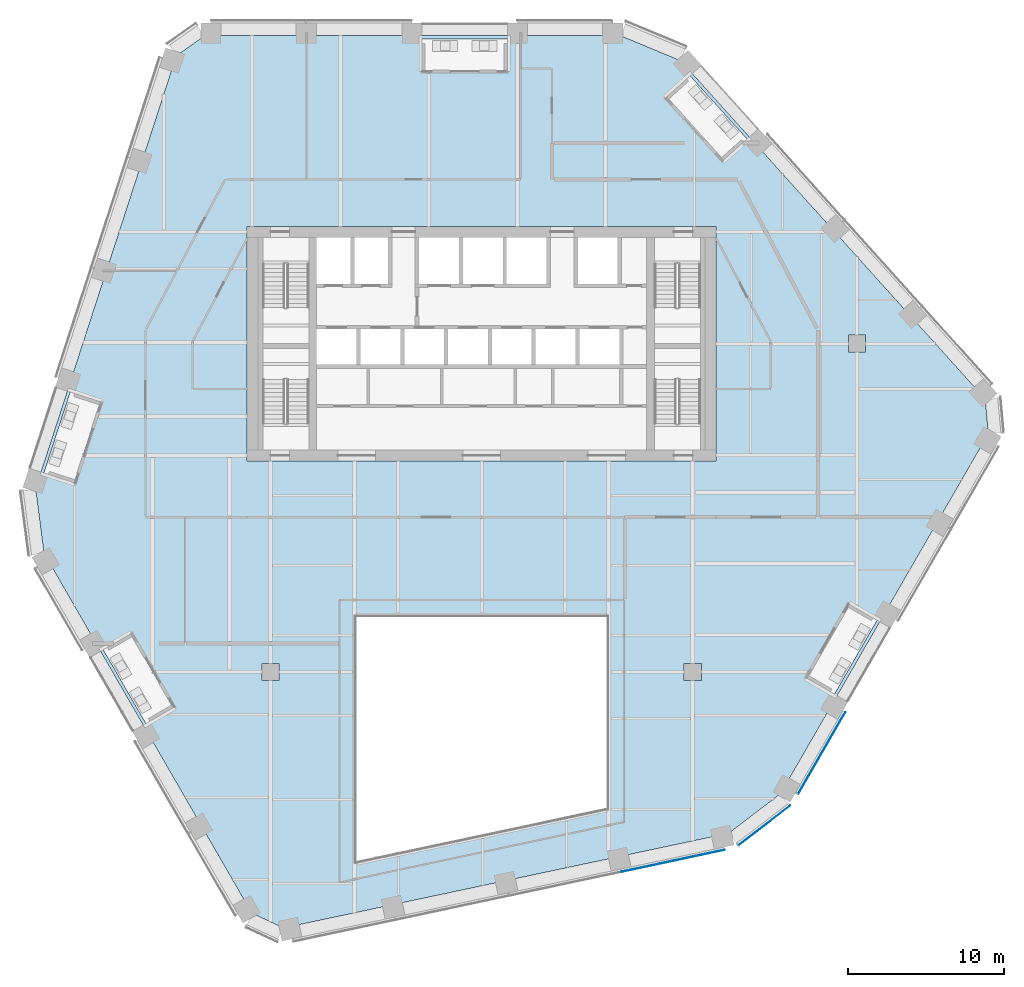
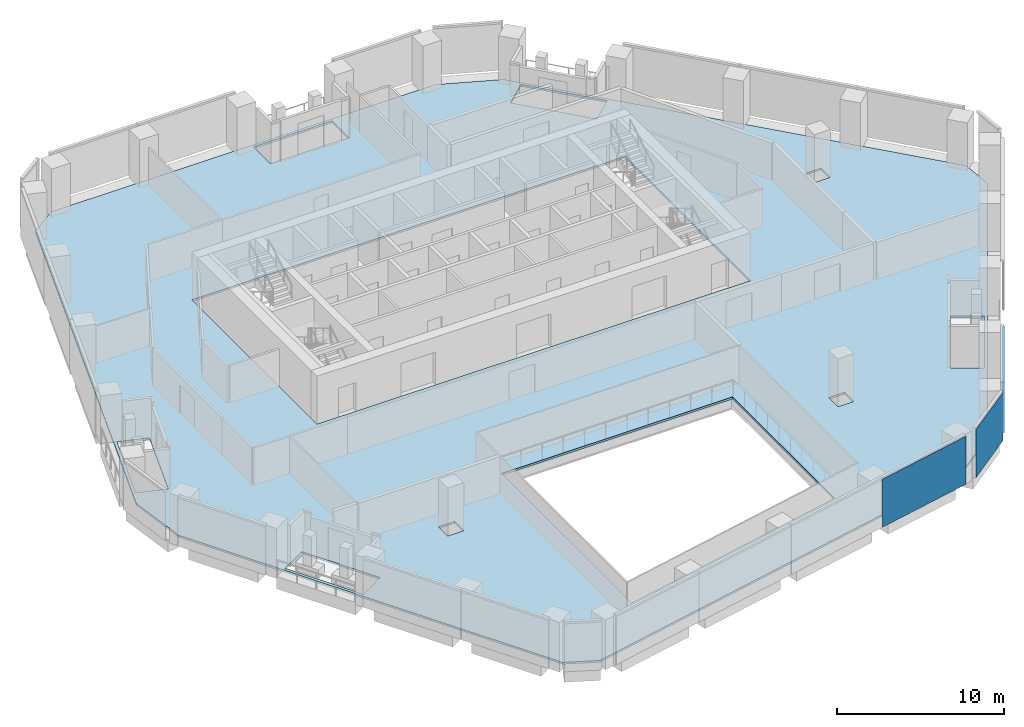
# One storey, part 13 of 25: 3 plates, 1 slab, 3 elements without a shape of their own.
"""IFC4 building model written with IfcOpenShell, lengths in metres."""

from ifc_helpers import new_model, si_unit, direction, frame, origin, origin_2d, place, context, subcontext, project, spatial, polyline, rectangle, outline, extrude, material, layer, layer_set, type_object, element, aggregate, save


model = new_model("IFC4")

# Units and contexts
model_context = context("Model", 3, precision=1e-05, world=origin(), true_north=direction((0.0, 1.0)))
body_context = subcontext(model_context, "Body", "Model", "MODEL_VIEW")
ifc_project = project(units=[si_unit("LENGTHUNIT", "METRE"), si_unit("AREAUNIT", "SQUARE_METRE"), si_unit("VOLUMEUNIT", "CUBIC_METRE"), si_unit("PLANEANGLEUNIT", "RADIAN"), si_unit("MASSUNIT", "GRAM", prefix="KILO")], contexts=[model_context])

# Site, building, storey
site_placement = place(None, origin())
site = spatial("IfcSite", under=ifc_project, at=site_placement, CompositionType="ELEMENT")
building_placement = place(site_placement, origin())
building = spatial("IfcBuilding", under=site, at=building_placement, Name="Isthmus Gate Tower", CompositionType="ELEMENT")
storey_placement = place(building_placement, frame((0.0, 0.0, 174.449951171875)))
storey = spatial("IfcBuildingStorey", under=building, at=storey_placement, Name="L43", CompositionType="ELEMENT", Elevation=174.449951171875)

# Slab
ifc_material_1 = material(Name="Concrete f'c 40 MPa", Category="concrete")
ifc_layer_1 = layer(ifc_material_1, 0.14990234375)
ifc_layer_set_1 = layer_set([ifc_layer_1], Name="COMPOSITE FLOOR SLAB 150")
slab_type = type_object("IfcSlabType", Name="COMPOSITE FLOOR SLAB 150", PredefinedType="FLOOR", material=ifc_layer_set_1)
slab_placement = place(storey_placement, frame((0.0, 0.0, -0.14990234375)))
element("IfcSlab", 1, at=slab_placement, inside=storey, type_object=slab_type, Name="str-slab-L43-1", PredefinedType="FLOOR", context=body_context, shape_type="SweptSolid", body=[
    extrude(outline(polyline([(12.72802734375, 25.599365234375), (32.21044921875, 3.9619140625), (32.410400390625, 1.736083984375), (19.116455078125, -21.289306640625), (15.8056640625, -23.822509765625), (-12.674072265625, -29.876220703125), (-14.701416015625, -28.936279296875), (-27.995361328125, -5.91064453125), (-28.53369140625, -1.77685546875), (-19.536376953125, 25.9140625), (-17.708740234375, 27.199951171875), (8.87890625, 27.199951171875), (12.72802734375, 25.599365234375)]), holes=[polyline([(8.0, -10.0), (-8.0, -10.0), (-8.0, -25.611083984375), (8.0, -22.210205078125), (8.0, -10.0)]), polyline([(-19.744873046875, -15.801025390625), (-22.4697265625, -11.0810546875), (-24.201904296875, -12.0810546875), (-21.476806640625, -16.801025390625), (-19.744873046875, -15.801025390625)]), polyline([(-12.949951171875, -12.949951171875), (-14.050048828125, -12.949951171875), (-14.050048828125, -14.050048828125), (-12.949951171875, -14.050048828125), (-12.949951171875, -12.949951171875)]), polyline([(12.949951171875, -14.050048828125), (14.050048828125, -14.050048828125), (14.050048828125, -12.949951171875), (12.949951171875, -12.949951171875), (12.949951171875, -14.050048828125)]), polyline([(25.28857421875, -10.198974609375), (23.556396484375, -9.198974609375), (20.831298828125, -13.9189453125), (22.5634765625, -14.9189453125), (25.28857421875, -10.198974609375)]), polyline([(-26.095458984375, -1.39208984375), (-24.414306640625, 3.782470703125), (-26.31640625, 4.400634765625), (-27.99755859375, -0.77392578125), (-26.095458984375, -1.39208984375)]), polyline([(-15.0, 15.0), (-15.0, 0.0), (15.0, 0.0), (15.0, 15.0), (-15.0, 15.0)]), polyline([(24.550048828125, 6.949951171875), (24.550048828125, 8.050048828125), (23.449951171875, 8.050048828125), (23.449951171875, 6.949951171875), (24.550048828125, 6.949951171875)]), polyline([(13.32861328125, 24.633544921875), (11.84228515625, 23.29541015625), (15.48291015625, 19.251953125), (16.968994140625, 20.59033203125), (13.32861328125, 24.633544921875)]), polyline([(-3.811767578125, 27.0), (-3.811767578125, 25.0), (1.638427734375, 25.0), (1.638427734375, 27.0), (-3.811767578125, 27.0)])]), origin(), (0.0, 0.0, 1.0), 0.14990234375),
])

# Curtain wall, plate
ifc_material_2 = material(Name="Aluminium, pale champagne anodised", Category="aluminium")
ifc_layer_2 = layer(ifc_material_2, 0.199951171875)
ifc_layer_set_2 = layer_set([ifc_layer_2], Name="CW-1 UNITISED CURTAIN WALL 200 DEEP")
curtain_wall_type = type_object("IfcCurtainWallType", Name="CW-1 UNITISED CURTAIN WALL 200 DEEP", PredefinedType="NOTDEFINED", material=ifc_layer_set_2)
curtain_wall_1_placement = place(storey_placement, origin())
curtain_wall_1 = element("IfcCurtainWall", 2, at=curtain_wall_1_placement, inside=storey, type_object=curtain_wall_type, Name="CW-1 S L43", PredefinedType="NOTDEFINED")
ifc_material_3 = material(Name="Laminated low-iron glass, pale blue tint", Category="glass")
ifc_layer_3 = layer(ifc_material_3, 0.035888671875)
ifc_layer_set_3 = layer_set([ifc_layer_3], Name="CW-1 CLEAR GLASS LITE 36")
plate_type = type_object("IfcPlateType", Name="CW-1 CLEAR GLASS LITE 36", PredefinedType="CURTAIN_PANEL", material=ifc_layer_set_3)
plate_1_placement = place(storey_placement, frame((12.25390625, -25.58154296875, 0.0), z_axis=(0.0, 0.0, 1.0), x_axis=(0.978147600734, 0.207911690818, 0.0)))
plate_1 = element("IfcPlate", 3, at=plate_1_placement, type_object=plate_type, Name="CW-1 glass lite", PredefinedType="CURTAIN_PANEL", context=body_context, shape_type="SweptSolid", body=[
    extrude(rectangle(XDim=6.74072265625, YDim=0.035888671875, at=origin_2d()), origin(), (0.0, 0.0, 1.0), 3.510009765625),
])
aggregate(curtain_wall_1, [plate_1])

curtain_wall_2_placement = place(storey_placement, origin())
curtain_wall_2 = element("IfcCurtainWall", 4, at=curtain_wall_2_placement, inside=storey, type_object=curtain_wall_type, Name="CW-1 S-SE L43", PredefinedType="NOTDEFINED")
plate_2_placement = place(storey_placement, frame((18.08056640625, -23.318359375, 0.0), z_axis=(0.0, 0.0, 1.0), x_axis=(0.794188594387, 0.607671355706, 0.0)))
plate_2 = element("IfcPlate", 5, at=plate_2_placement, type_object=plate_type, Name="CW-1 glass lite", PredefinedType="CURTAIN_PANEL", context=body_context, shape_type="SweptSolid", body=[
    extrude(rectangle(XDim=4.181396484375, YDim=0.035888671875, at=origin_2d()), origin(), (0.0, 0.0, 1.0), 3.510009765625),
])
aggregate(curtain_wall_2, [plate_2])

curtain_wall_3_placement = place(storey_placement, origin())
curtain_wall_3 = element("IfcCurtainWall", 6, at=curtain_wall_3_placement, inside=storey, type_object=curtain_wall_type, Name="CW-1 SE L43", PredefinedType="NOTDEFINED")
plate_3_placement = place(storey_placement, frame((21.752197265625, -18.688232421875, 0.0), z_axis=(0.0, 0.0, 1.0), x_axis=(0.5, 0.866025403784, 0.0)))
plate_3 = element("IfcPlate", 7, at=plate_3_placement, type_object=plate_type, Name="CW-1 glass lite", PredefinedType="CURTAIN_PANEL", context=body_context, shape_type="SweptSolid", body=[
    extrude(rectangle(XDim=6.0400390625, YDim=0.035888671875, at=origin_2d()), origin(), (0.0, 0.0, 1.0), 3.510009765625),
])
aggregate(curtain_wall_3, [plate_3])

save(model, "model.ifc")
